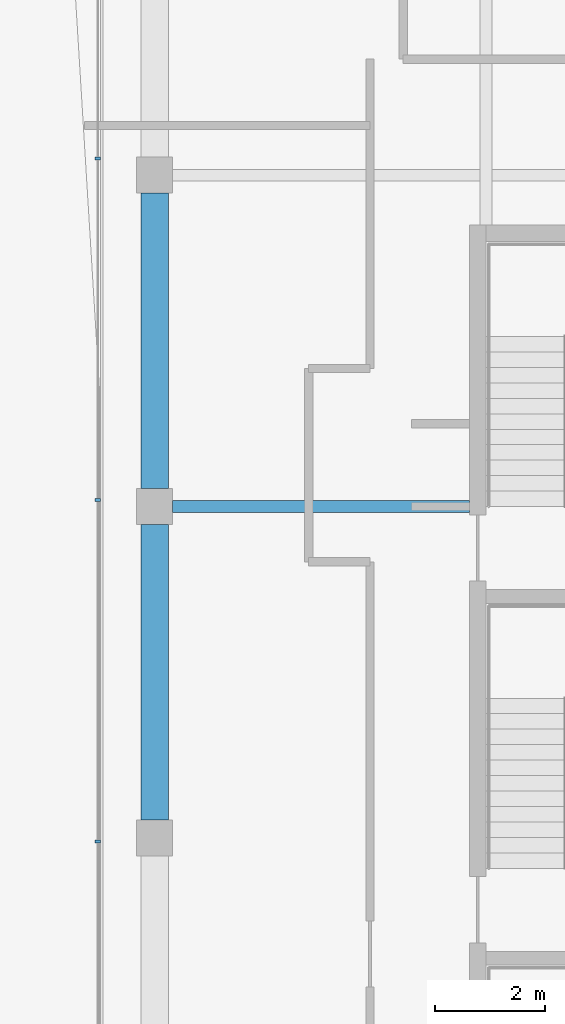
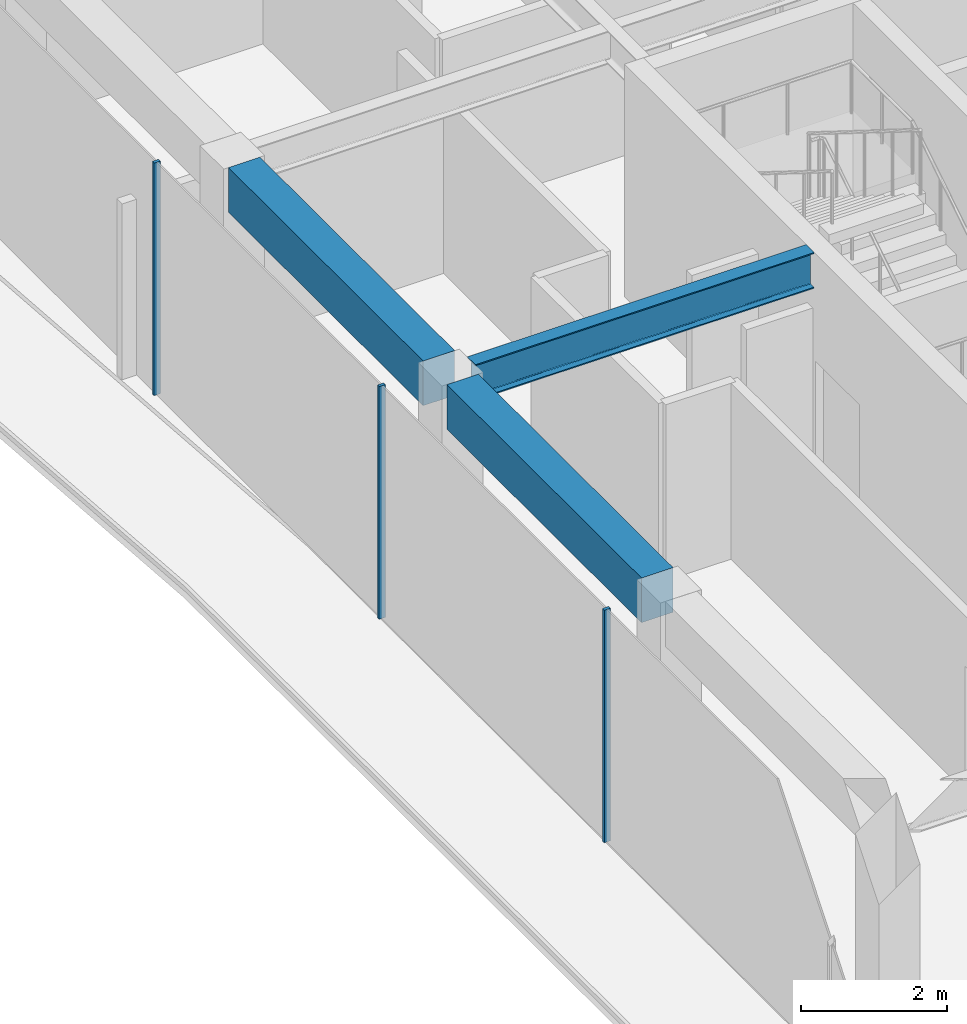
# One storey, part 5 of 22: 3 beams, 3 members, 1 element without a shape of its own.
"""IFC4 building model written with IfcOpenShell, lengths in metres."""

from ifc_helpers import new_model, si_unit, direction, frame, origin, origin_2d, place, context, subcontext, project, spatial, rectangle, i_section, extrude, material, layer, layer_set, material_profile, profile_set, type_object, element, aggregate, save


model = new_model("IFC4")

# Units and contexts
model_context = context("Model", 3, precision=1e-05, world=origin(), true_north=direction((0.0, 1.0)))
body_context = subcontext(model_context, "Body", "Model", "MODEL_VIEW")
ifc_project = project(units=[si_unit("LENGTHUNIT", "METRE"), si_unit("AREAUNIT", "SQUARE_METRE"), si_unit("VOLUMEUNIT", "CUBIC_METRE"), si_unit("PLANEANGLEUNIT", "RADIAN"), si_unit("MASSUNIT", "GRAM", prefix="KILO")], contexts=[model_context])

# Site, building, storey
site_placement = place(None, origin())
site = spatial("IfcSite", under=ifc_project, at=site_placement, CompositionType="ELEMENT")
building_placement = place(site_placement, origin())
building = spatial("IfcBuilding", under=site, at=building_placement, Name="Welwitschia Terrace Campus", CompositionType="ELEMENT")
storey_placement = place(building_placement, frame((0.0, 0.0, 318.800048828125)))
storey = spatial("IfcBuildingStorey", under=building, at=storey_placement, Name="L71", CompositionType="ELEMENT", Elevation=318.800048828125)

# Curtain wall, members
ifc_material_1 = material(Name="Bronze anodised aluminium", Category="aluminium")
ifc_layer = layer(ifc_material_1, 0.10009765625)
ifc_layer_set = layer_set([ifc_layer], Name="Bronze anodised aluminium")
curtain_wall_type = type_object("IfcCurtainWallType", Name="Curtain wall CW5 crown 6000", PredefinedType="NOTDEFINED", material=ifc_layer_set)
curtain_wall_placement = place(storey_placement, origin())
curtain_wall = element("IfcCurtainWall", 1, at=curtain_wall_placement, inside=storey, type_object=curtain_wall_type, Name="CW L71.7.0", PredefinedType="NOTDEFINED")
ifc_material_2 = material(Name="Bronze anodised aluminium", Category="aluminium")
ifc_material_profile_1 = material_profile(ifc_material_2, rectangle(XDim=0.10009765625, YDim=0.050048828125, at=origin_2d()))
ifc_profile_set_1 = profile_set([ifc_material_profile_1], Name="Bronze anodised aluminium")
member_type = type_object("IfcMemberType", Name="Mullion 50x100", PredefinedType="MULLION", material=ifc_profile_set_1)
member_1_placement = place(storey_placement, frame((-1.030029296875, 26.3017578125, 0.0), z_axis=(0.0, 0.0, 1.0), x_axis=(1.0, 0.0, 0.0)))
member_1 = element("IfcMember", 2, at=member_1_placement, type_object=member_type, Name="Mullion L71.7.0.4", PredefinedType="MULLION", context=body_context, shape_type="SweptSolid", body=[
    extrude(rectangle(XDim=0.10009765625, YDim=0.050048828125, at=origin_2d()), origin(), (0.0, 0.0, 1.0), 3.89990234375),
])
member_2_placement = place(storey_placement, frame((-1.030029296875, 20.11962890625, 0.0), z_axis=(0.0, 0.0, 1.0), x_axis=(1.0, 0.0, 0.0)))
member_2 = element("IfcMember", 3, at=member_2_placement, type_object=member_type, Name="Mullion L71.7.0.5", PredefinedType="MULLION", context=body_context, shape_type="SweptSolid", body=[
    extrude(rectangle(XDim=0.10009765625, YDim=0.050048828125, at=origin_2d()), origin(), (0.0, 0.0, 1.0), 3.89990234375),
])
member_3_placement = place(storey_placement, frame((-1.030029296875, 13.9375, 0.0), z_axis=(0.0, 0.0, 1.0), x_axis=(1.0, 0.0, 0.0)))
member_3 = element("IfcMember", 4, at=member_3_placement, type_object=member_type, Name="Mullion L71.7.0.6", PredefinedType="MULLION", context=body_context, shape_type="SweptSolid", body=[
    extrude(rectangle(XDim=0.10009765625, YDim=0.050048828125, at=origin_2d()), origin(), (0.0, 0.0, 1.0), 3.89990234375),
])
aggregate(curtain_wall, [member_1, member_2, member_3])

# Beams
ifc_material_3 = material(Name="Steel S355", Category="steel")
ifc_material_profile_2 = material_profile(ifc_material_3, i_section(OverallWidth=0.219970703125, OverallDepth=0.60009765625, WebThickness=0.011962890625, FlangeThickness=0.01904296875, FilletRadius=0.02392578125, at=origin_2d()))
ifc_profile_set_2 = profile_set([ifc_material_profile_2], Name="Steel S355")
beam_type_1 = type_object("IfcBeamType", Name="Primary beam IPE 600", PredefinedType="BEAM", material=ifc_profile_set_2)
beam_placement = place(storey_placement, frame((0.325439453125, 20.0, 3.599853515625), z_axis=(1.0, 0.0, 0.0), x_axis=(0.0, 1.0, 0.0)))
element("IfcBeam", 5, at=beam_placement, inside=storey, type_object=beam_type_1, Name="Primary beam PB7", PredefinedType="BEAM", context=body_context, shape_type="SweptSolid", body=[
    extrude(i_section(OverallWidth=0.219970703125, OverallDepth=0.60009765625, WebThickness=0.011962890625, FlangeThickness=0.01904296875, FilletRadius=0.02392578125, at=origin_2d()), origin(), (0.0, 0.0, 1.0), 5.37451171875),
])
ifc_material_4 = material(Name="Concrete C40/50", Category="concrete")
ifc_material_profile_3 = material_profile(ifc_material_4, rectangle(XDim=0.5, YDim=0.75, at=origin_2d()))
ifc_profile_set_3 = profile_set([ifc_material_profile_3], Name="Concrete C40/50")
beam_type_2 = type_object("IfcBeamType", Name="Ring spandrel 500x750", PredefinedType="SPANDREL", material=ifc_profile_set_3)
for number, where, z_axis, x_axis, name in (
    (6, (0.0, 25.674560546875, 3.52490234375), (0.0, -1.0, 0.0), (1.0, 0.0, 0.0), "Spandrel SP5"),
    (7, (0.0, 19.674560546875, 3.52490234375), (0.0, -1.0, 0.0), (1.0, 0.0, 0.0), "Spandrel SP5"),
):
    element("IfcBeam", number, at=place(storey_placement, frame(where, z_axis=z_axis, x_axis=x_axis)), inside=storey, type_object=beam_type_2, Name=name, PredefinedType="SPANDREL", context=body_context, shape_type="SweptSolid", body=[
        extrude(rectangle(XDim=0.5, YDim=0.75, at=origin_2d()), origin(), (0.0, 0.0, 1.0), 5.34912109375),
    ])

save(model, "model.ifc")
